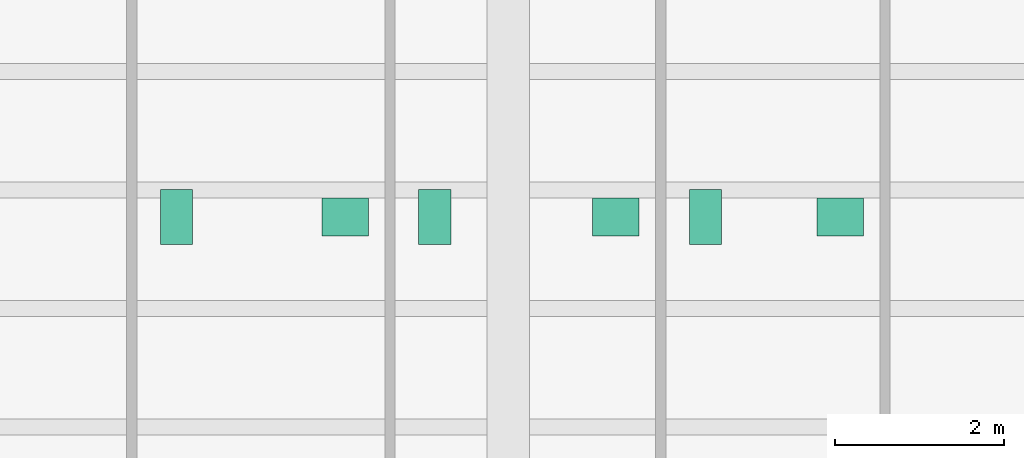
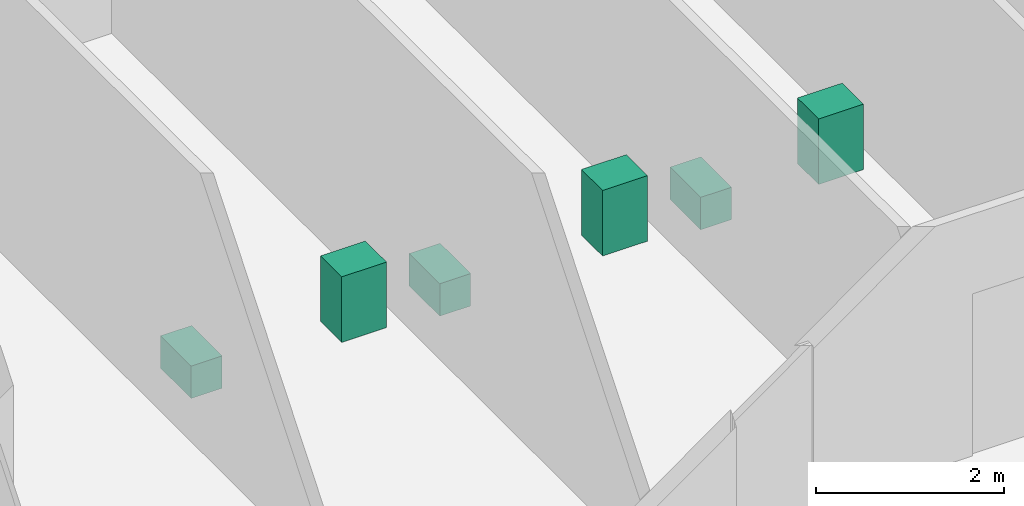
# One storey, part 8 of 8: 6 sanitary terminals.
"""IFC4 building model written with IfcOpenShell, lengths in metres."""

from ifc_helpers import new_model, si_unit, direction, frame, origin, origin_2d, place, context, subcontext, project, spatial, rectangle, extrude, material, type_object, element, save


model = new_model("IFC4")

# Units and contexts
model_context = context("Model", 3, precision=1e-05, world=origin(), true_north=direction((0.0, 1.0)))
body_context = subcontext(model_context, "Body", "Model", "MODEL_VIEW")
ifc_project = project(units=[si_unit("LENGTHUNIT", "METRE"), si_unit("AREAUNIT", "SQUARE_METRE"), si_unit("VOLUMEUNIT", "CUBIC_METRE"), si_unit("PLANEANGLEUNIT", "RADIAN"), si_unit("MASSUNIT", "GRAM", prefix="KILO")], contexts=[model_context])

# Site, building, storey
site_placement = place(None, origin())
site = spatial("IfcSite", under=ifc_project, at=site_placement, CompositionType="ELEMENT")
building_placement = place(site_placement, origin())
building = spatial("IfcBuilding", under=site, at=building_placement, Name="Kranthara Brick Stack", CompositionType="ELEMENT")
storey_placement = place(building_placement, frame((0.0, 0.0, 75.0)))
storey = spatial("IfcBuildingStorey", under=building, at=storey_placement, Name="L18", CompositionType="ELEMENT", Elevation=75.0)

# Sanitary terminals
ifc_material_1 = material(Name="Vitreous china sanitary porcelain", Category="other")
sanitary_terminal_type_1 = type_object("IfcSanitaryTerminalType", Name="SAN-BASIN", PredefinedType="WASHHANDBASIN", material=ifc_material_1)
for number, where, z_axis, x_axis, name in (
    (1, (26.070068359375, 29.985107421875, 0.0), (0.0, 0.0, 1.0), (1.0, 0.0, 0.0), "L18 Washbasin 54"),
    (2, (29.27001953125, 29.985107421875, 0.0), (0.0, 0.0, 1.0), (1.0, 0.0, 0.0), "L18 Washbasin 55"),
    (3, (31.919921875, 29.985107421875, 0.0), (0.0, 0.0, 1.0), (1.0, 0.0, 0.0), "L18 Washbasin 56"),
):
    element("IfcSanitaryTerminal", number, at=place(storey_placement, frame(where, z_axis=z_axis, x_axis=x_axis)), inside=storey, type_object=sanitary_terminal_type_1, Name=name, PredefinedType="WASHHANDBASIN", context=body_context, shape_type="SweptSolid", body=[
        extrude(rectangle(XDim=0.550048828125, YDim=0.449951171875, at=origin_2d()), origin(), (0.0, 0.0, 1.0), 0.85009765625),
    ])
ifc_material_2 = material(Name="Vitreous china sanitary porcelain", Category="other")
sanitary_terminal_type_2 = type_object("IfcSanitaryTerminalType", Name="SAN-WC-PAN", PredefinedType="TOILETPAN", material=ifc_material_2)
for number, where, z_axis, x_axis, name in (
    (4, (24.080078125, 29.985107421875, 0.0), (0.0, 0.0, 1.0), (1.0, 0.0, 0.0), "L18 WC Pan 54"),
    (5, (27.1298828125, 29.985107421875, 0.0), (0.0, 0.0, 1.0), (1.0, 0.0, 0.0), "L18 WC Pan 55"),
    (6, (30.330078125, 29.985107421875, 0.0), (0.0, 0.0, 1.0), (1.0, 0.0, 0.0), "L18 WC Pan 56"),
):
    element("IfcSanitaryTerminal", number, at=place(storey_placement, frame(where, z_axis=z_axis, x_axis=x_axis)), inside=storey, type_object=sanitary_terminal_type_2, Name=name, PredefinedType="TOILETPAN", context=body_context, shape_type="SweptSolid", body=[
        extrude(rectangle(XDim=0.3798828125, YDim=0.64990234375, at=origin_2d()), origin(), (0.0, 0.0, 1.0), 0.419921875),
    ])

save(model, "model.ifc")
